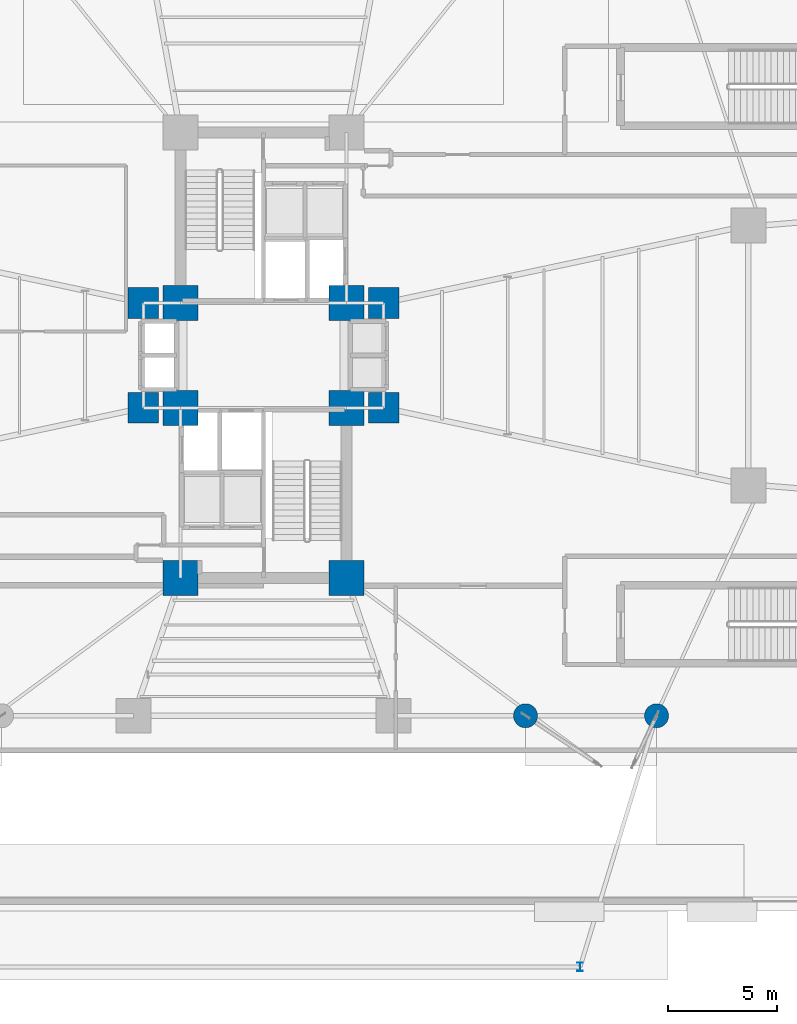
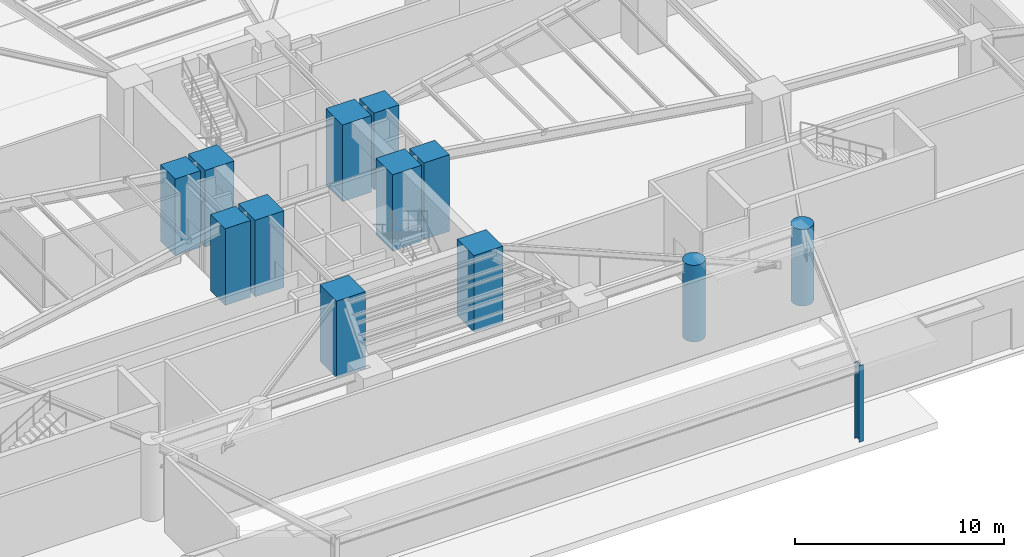
# One storey, part 3 of 31: 13 columns.
"""IFC4 building model written with IfcOpenShell, lengths in metres."""

from ifc_helpers import new_model, si_unit, direction, frame, origin, origin_2d, place, context, subcontext, project, spatial, rectangle, circle, i_section, extrude, source, transform, mapped, material, material_profile, profile_set, type_object, element, save


model = new_model("IFC4")

# Units and contexts
model_context = context("Model", 3, precision=1e-05, world=origin(), true_north=direction((0.0, 1.0)))
body_context = subcontext(model_context, "Body", "Model", "MODEL_VIEW")
ifc_project = project(units=[si_unit("LENGTHUNIT", "METRE"), si_unit("AREAUNIT", "SQUARE_METRE"), si_unit("VOLUMEUNIT", "CUBIC_METRE"), si_unit("PLANEANGLEUNIT", "RADIAN"), si_unit("MASSUNIT", "GRAM", prefix="KILO")], contexts=[model_context])

# Site, building, storey
site_placement = place(None, origin())
site = spatial("IfcSite", under=ifc_project, at=site_placement, CompositionType="ELEMENT")
building_placement = place(site_placement, origin())
building = spatial("IfcBuilding", under=site, at=building_placement, Name="Sahyath Konkavel Grand Hotel", CompositionType="ELEMENT")
storey_placement = place(building_placement, origin())
storey = spatial("IfcBuildingStorey", under=building, at=storey_placement, Name="L00", CompositionType="ELEMENT", Elevation=0.0)

# Columns
ifc_material_1 = material(Name="Concrete C70/85", Category="concrete")
ifc_material_profile_1 = material_profile(ifc_material_1, rectangle(XDim=1.60009765625, YDim=1.60009765625, at=origin_2d()), Name="RC 1600x1600")
ifc_profile_set_1 = profile_set([ifc_material_profile_1], Name="Concrete C70/85")
column_type_1 = type_object("IfcColumnType", Name="COL-RC1600", PredefinedType="COLUMN", material=ifc_profile_set_1)
shared_shape_1 = source(origin(), body_context, "Body", "SweptSolid", [
    extrude(rectangle(XDim=1.60009765625, YDim=1.60009765625, at=origin_2d()), origin(), (0.0, 0.0, 1.0), 4.47998046875),
])
for number, where, z_axis, x_axis, name in (
    (1, (-3.800048828125, 2.39990234375, 0.0), (0.0, 0.0, 1.0), (1.0, 0.0, 0.0), "L00 Core Boundary Column NC-SW"),
    (2, (3.800048828125, 2.39990234375, 0.0), (0.0, 0.0, 1.0), (1.0, 0.0, 0.0), "L00 Core Boundary Column NC-SE"),
    (3, (-3.800048828125, -2.39990234375, 0.0), (0.0, 0.0, 1.0), (1.0, 0.0, 0.0), "L00 Core Boundary Column SC-NW"),
    (4, (3.800048828125, -2.39990234375, 0.0), (0.0, 0.0, 1.0), (1.0, 0.0, 0.0), "L00 Core Boundary Column SC-NE"),
    (5, (-3.800048828125, -10.199951171875, 0.0), (0.0, 0.0, 1.0), (1.0, 0.0, 0.0), "L00 Core Boundary Column SC-SW"),
    (6, (3.800048828125, -10.199951171875, 0.0), (0.0, 0.0, 1.0), (1.0, 0.0, 0.0), "L00 Core Boundary Column SC-SE"),
):
    element("IfcColumn", number, at=place(storey_placement, frame(where, z_axis=z_axis, x_axis=x_axis)), inside=storey, type_object=column_type_1, Name=name, PredefinedType="COLUMN", context=body_context, shape_type="MappedRepresentation", body=[
        mapped(shared_shape_1, transform((0.0, 0.0, 0.0), scale=1.0)),
    ])
ifc_material_profile_2 = material_profile(ifc_material_1, rectangle(XDim=1.39990234375, YDim=1.39990234375, at=origin_2d()), Name="RC 1400x1400")
ifc_profile_set_2 = profile_set([ifc_material_profile_2], Name="Concrete C70/85")
column_type_2 = type_object("IfcColumnType", Name="COL-RC1400", PredefinedType="COLUMN", material=ifc_profile_set_2)
shared_shape_2 = source(origin(), body_context, "Body", "SweptSolid", [
    extrude(rectangle(XDim=1.39990234375, YDim=1.39990234375, at=origin_2d()), origin(), (0.0, 0.0, 1.0), 4.47998046875),
])
for number, where, z_axis, x_axis, name in (
    (7, (5.5, 2.39990234375, 0.0), (0.0, 0.0, 1.0), (1.0, 0.0, 0.0), "L00 Central Spine Column HB-NE"),
    (8, (-5.5, 2.39990234375, 0.0), (0.0, 0.0, 1.0), (1.0, 0.0, 0.0), "L00 Central Spine Column HB-NW"),
    (9, (5.5, -2.39990234375, 0.0), (0.0, 0.0, 1.0), (1.0, 0.0, 0.0), "L00 Central Spine Column HB-SE"),
    (10, (-5.5, -2.39990234375, 0.0), (0.0, 0.0, 1.0), (1.0, 0.0, 0.0), "L00 Central Spine Column HB-SW"),
):
    element("IfcColumn", number, at=place(storey_placement, frame(where, z_axis=z_axis, x_axis=x_axis)), inside=storey, type_object=column_type_2, Name=name, PredefinedType="COLUMN", context=body_context, shape_type="MappedRepresentation", body=[
        mapped(shared_shape_2, transform((0.0, 0.0, 0.0), scale=1.0)),
    ])
ifc_material_profile_3 = material_profile(ifc_material_1, circle(Radius=0.550048828125, at=origin_2d()), Name="RC D1100")
ifc_profile_set_3 = profile_set([ifc_material_profile_3], Name="Concrete C70/85")
column_type_3 = type_object("IfcColumnType", Name="COL-RCD1100", PredefinedType="COLUMN", material=ifc_profile_set_3)
shared_shape_3 = source(origin(), body_context, "Body", "SweptSolid", [
    extrude(circle(Radius=0.550048828125, at=origin_2d()), origin(), (0.0, 0.0, 1.0), 4.47998046875),
])
for number, where, z_axis, x_axis, name in (
    (11, (12.0, -16.5, 0.0), (0.0, 0.0, 1.0), (1.0, 0.0, 0.0), "L00 Sandstone Colonnade Pier CL-S3"),
    (12, (18.0, -16.5, 0.0), (0.0, 0.0, 1.0), (1.0, 0.0, 0.0), "L00 Sandstone Colonnade Pier CL-S4"),
):
    element("IfcColumn", number, at=place(storey_placement, frame(where, z_axis=z_axis, x_axis=x_axis)), inside=storey, type_object=column_type_3, Name=name, PredefinedType="COLUMN", context=body_context, shape_type="MappedRepresentation", body=[
        mapped(shared_shape_3, transform((0.0, 0.0, 0.0), scale=1.0)),
    ])
ifc_material_2 = material(Name="Steel E350", Category="steel")
ifc_material_profile_4 = material_profile(ifc_material_2, i_section(OverallWidth=0.25, OverallDepth=0.39990234375, WebThickness=0.0126953125, FlangeThickness=0.0126953125, FilletRadius=0.013916015625, at=origin_2d()), Name="ISHB 400")
ifc_profile_set_4 = profile_set([ifc_material_profile_4], Name="Steel E350")
column_type_4 = type_object("IfcColumnType", Name="COL-ISHB400", PredefinedType="COLUMN", material=ifc_profile_set_4)
shared_shape_4 = source(origin(), body_context, "Body", "SweptSolid", [
    extrude(i_section(OverallWidth=0.25, OverallDepth=0.39990234375, WebThickness=0.0126953125, FlangeThickness=0.0126953125, FilletRadius=0.013916015625, at=origin_2d()), origin(), (0.0, 0.0, 1.0), 4.47998046875),
])
column_placement = place(storey_placement, frame((14.5, -28.0, 0.0), z_axis=(0.0, 0.0, 1.0), x_axis=(1.0, 0.0, 0.0)))
element("IfcColumn", 13, at=column_placement, inside=storey, type_object=column_type_4, Name="L00 Metro Portal Wing Column PW-S2", PredefinedType="COLUMN", context=body_context, shape_type="MappedRepresentation", body=[
    mapped(shared_shape_4, transform((0.0, 0.0, 0.0), scale=1.0)),
])

save(model, "model.ifc")
